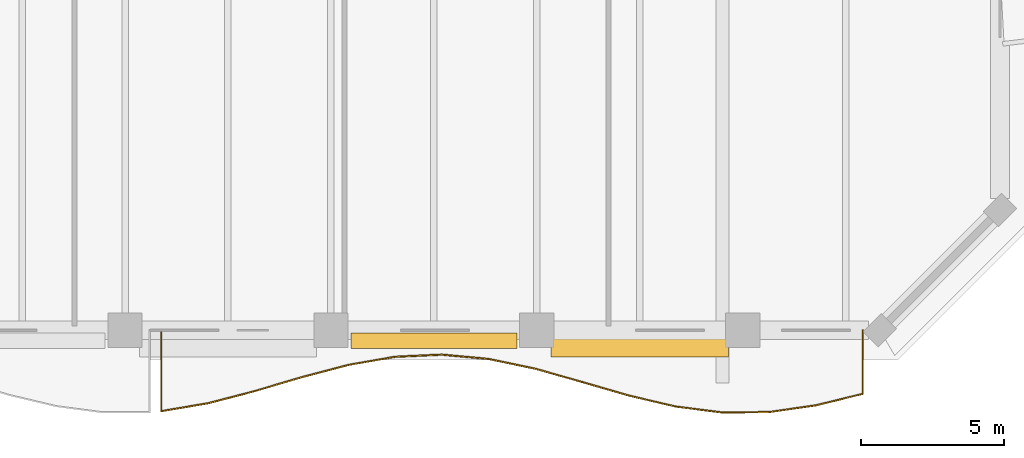
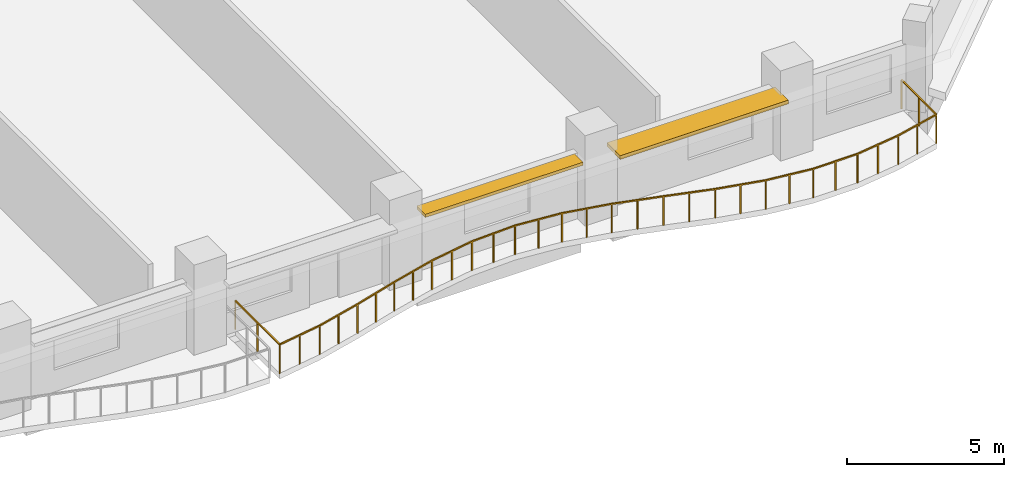
# One storey, part 13 of 14: 2 shading devices, 1 railing.
"""IFC4 building model written with IfcOpenShell, lengths in metres."""

from ifc_helpers import new_model, si_unit, direction, frame, origin, origin_2d, place, context, subcontext, project, spatial, rectangle, extrude, material, layer, layer_set, type_object, element, save


model = new_model("IFC4")

# Units and contexts
model_context = context("Model", 3, precision=1e-05, world=origin(), true_north=direction((0.0, 1.0)))
body_context = subcontext(model_context, "Body", "Model", "MODEL_VIEW")
ifc_project = project(units=[si_unit("LENGTHUNIT", "METRE"), si_unit("AREAUNIT", "SQUARE_METRE"), si_unit("VOLUMEUNIT", "CUBIC_METRE"), si_unit("PLANEANGLEUNIT", "RADIAN"), si_unit("MASSUNIT", "GRAM", prefix="KILO")], contexts=[model_context])

# Site, building, storey
site_placement = place(None, origin())
site = spatial("IfcSite", under=ifc_project, at=site_placement, CompositionType="ELEMENT")
building_placement = place(site_placement, origin())
building = spatial("IfcBuilding", under=site, at=building_placement, Name="Kaelvorn Grand Hotel", CompositionType="ELEMENT")
storey_placement = place(building_placement, frame((0.0, 0.0, 89.300048828125)))
storey = spatial("IfcBuildingStorey", under=building, at=storey_placement, Name="L20", CompositionType="ELEMENT", Elevation=89.300048828125)

# Railing
ifc_material_1 = material(Name="Stainless Steel", Category="steel")
railing_type = type_object("IfcRailingType", Name="RL-BALC-1150", PredefinedType="BALUSTRADE", material=ifc_material_1)
railing_placement = place(storey_placement, frame((54.666748046875, 0.0, 0.0)))
element("IfcRailing", 1, at=railing_placement, inside=storey, type_object=railing_type, Name="L20 Scalloped Wave Balcony Balustrade GR1-3", PredefinedType="BALUSTRADE", context=body_context, shape_type="SweptSolid", body=[
    extrude(rectangle(XDim=0.048095703125, YDim=0.048095703125, at=origin_2d()), frame((0.0, 0.0, 1.1259765625), z_axis=(0.0, -1.0, 0.0), x_axis=(1.0, 0.0, 0.0)), (0.0, 0.0, 1.0), 2.831298828125),
    extrude(rectangle(XDim=0.048095703125, YDim=0.048095703125, at=origin_2d()), frame((0.0, -2.831298828125, 1.1259765625), z_axis=(0.986118033534, 0.166045848907, 0.0), x_axis=(-0.166045848907, 0.986118033534, 0.0)), (0.0, 0.0, 1.0), 1.658447265625),
    extrude(rectangle(XDim=0.048095703125, YDim=0.048095703125, at=origin_2d()), frame((1.635498046875, -2.555908203125, 1.1259765625), z_axis=(0.96763721046, 0.252345455542, 0.0), x_axis=(-0.252345455542, 0.96763721046, 0.0)), (0.0, 0.0, 1.0), 1.690185546875),
    extrude(rectangle(XDim=0.048095703125, YDim=0.048095703125, at=origin_2d()), frame((3.27099609375, -2.12939453125, 1.1259765625), z_axis=(0.959027432838, 0.2833132243, 0.0), x_axis=(-0.2833132243, 0.959027432838, 0.0)), (0.0, 0.0, 1.0), 1.705322265625),
    extrude(rectangle(XDim=0.048095703125, YDim=0.048095703125, at=origin_2d()), frame((4.906494140625, -1.646240234375, 1.1259765625), z_axis=(0.966831098892, 0.255416573886, 0.0), x_axis=(-0.255416573886, 0.966831098892, 0.0)), (0.0, 0.0, 1.0), 1.69189453125),
    extrude(rectangle(XDim=0.048095703125, YDim=0.048095703125, at=origin_2d()), frame((6.542236328125, -1.214111328125, 1.1259765625), z_axis=(0.985113377214, 0.171905887142, 0.0), x_axis=(-0.171905887142, 0.985113377214, 0.0)), (0.0, 0.0, 1.0), 1.66015625),
    extrude(rectangle(XDim=0.048095703125, YDim=0.048095703125, at=origin_2d()), frame((8.177734375, -0.9287109375, 1.1259765625), z_axis=(0.998944729953, 0.045928493331, 0.0), x_axis=(-0.045928493331, 0.998944729953, 0.0)), (0.0, 0.0, 1.0), 1.63720703125),
    extrude(rectangle(XDim=0.048095703125, YDim=0.048095703125, at=origin_2d()), frame((9.813232421875, -0.853515625, 1.1259765625), z_axis=(0.995730813029, -0.092304647692, 0.0), x_axis=(0.092304647692, 0.995730813029, 0.0)), (0.0, 0.0, 1.0), 1.642578125),
    extrude(rectangle(XDim=0.048095703125, YDim=0.048095703125, at=origin_2d()), frame((11.44873046875, -1.005126953125, 1.1259765625), z_axis=(0.978506375694, -0.206216567534, 0.0), x_axis=(0.206216567534, 0.978506375694, 0.0)), (0.0, 0.0, 1.0), 1.671630859375),
    extrude(rectangle(XDim=0.048095703125, YDim=0.048095703125, at=origin_2d()), frame((13.08447265625, -1.349853515625, 1.1259765625), z_axis=(0.962391909426, -0.27166489039, 0.0), x_axis=(0.27166489039, 0.962391909426, 0.0)), (0.0, 0.0, 1.0), 1.699462890625),
    extrude(rectangle(XDim=0.048095703125, YDim=0.048095703125, at=origin_2d()), frame((14.719970703125, -1.8115234375, 1.1259765625), z_axis=(0.960226046789, -0.279223815367, 0.0), x_axis=(0.279223815367, 0.960226046789, 0.0)), (0.0, 0.0, 1.0), 1.703125),
    extrude(rectangle(XDim=0.048095703125, YDim=0.048095703125, at=origin_2d()), frame((16.35546875, -2.287109375, 1.1259765625), z_axis=(0.973521889871, -0.228593809937, 0.0), x_axis=(0.228593809937, 0.973521889871, 0.0)), (0.0, 0.0, 1.0), 1.679931640625),
    extrude(rectangle(XDim=0.048095703125, YDim=0.048095703125, at=origin_2d()), frame((17.990966796875, -2.671142578125, 1.1259765625), z_axis=(0.992064544216, -0.125729630996, 0.0), x_axis=(0.125729630996, 0.992064544216, 0.0)), (0.0, 0.0, 1.0), 1.648681640625),
    extrude(rectangle(XDim=0.048095703125, YDim=0.048095703125, at=origin_2d()), frame((19.62646484375, -2.87841796875, 1.1259765625), z_axis=(0.999954380489, 0.009551803038, 0.0), x_axis=(-0.009551803038, 0.999954380489, 0.0)), (0.0, 0.0, 1.0), 1.6357421875),
    extrude(rectangle(XDim=0.048095703125, YDim=0.048095703125, at=origin_2d()), frame((21.26220703125, -2.86279296875, 1.1259765625), z_axis=(0.989824996425, 0.142290113682, 0.0), x_axis=(-0.142290113682, 0.989824996425, 0.0)), (0.0, 0.0, 1.0), 1.65234375),
    extrude(rectangle(XDim=0.048095703125, YDim=0.048095703125, at=origin_2d()), frame((22.897705078125, -2.627685546875, 1.1259765625), z_axis=(0.971081610913, 0.238747785218, 0.0), x_axis=(-0.238747785218, 0.971081610913, 0.0)), (0.0, 0.0, 1.0), 1.68408203125),
    extrude(rectangle(XDim=0.048095703125, YDim=0.048095703125, at=origin_2d()), frame((24.533203125, -2.2255859375, 1.1259765625), z_axis=(0.0, 1.0, 0.0), x_axis=(-1.0, 0.0, 0.0)), (0.0, 0.0, 1.0), 2.2255859375),
    extrude(rectangle(XDim=0.0419921875, YDim=0.0419921875, at=origin_2d()), origin(), (0.0, 0.0, 1.0), 1.101806640625),
    extrude(rectangle(XDim=0.0419921875, YDim=0.0419921875, at=origin_2d()), frame((0.0, -1.41552734375, 0.0)), (0.0, 0.0, 1.0), 1.101806640625),
    extrude(rectangle(XDim=0.0419921875, YDim=0.0419921875, at=origin_2d()), frame((0.0, -2.831298828125, 0.0)), (0.0, 0.0, 1.0), 1.101806640625),
    extrude(rectangle(XDim=0.0419921875, YDim=0.0419921875, at=origin_2d()), frame((0.81787109375, -2.693603515625, 0.0)), (0.0, 0.0, 1.0), 1.101806640625),
    extrude(rectangle(XDim=0.0419921875, YDim=0.0419921875, at=origin_2d()), frame((1.635498046875, -2.555908203125, 0.0)), (0.0, 0.0, 1.0), 1.101806640625),
    extrude(rectangle(XDim=0.0419921875, YDim=0.0419921875, at=origin_2d()), frame((2.453125, -2.3427734375, 0.0)), (0.0, 0.0, 1.0), 1.101806640625),
    extrude(rectangle(XDim=0.0419921875, YDim=0.0419921875, at=origin_2d()), frame((3.27099609375, -2.12939453125, 0.0)), (0.0, 0.0, 1.0), 1.101806640625),
    extrude(rectangle(XDim=0.0419921875, YDim=0.0419921875, at=origin_2d()), frame((4.0888671875, -1.8876953125, 0.0)), (0.0, 0.0, 1.0), 1.101806640625),
    extrude(rectangle(XDim=0.0419921875, YDim=0.0419921875, at=origin_2d()), frame((4.906494140625, -1.646240234375, 0.0)), (0.0, 0.0, 1.0), 1.101806640625),
    extrude(rectangle(XDim=0.0419921875, YDim=0.0419921875, at=origin_2d()), frame((5.724365234375, -1.43017578125, 0.0)), (0.0, 0.0, 1.0), 1.101806640625),
    extrude(rectangle(XDim=0.0419921875, YDim=0.0419921875, at=origin_2d()), frame((6.542236328125, -1.214111328125, 0.0)), (0.0, 0.0, 1.0), 1.101806640625),
    extrude(rectangle(XDim=0.0419921875, YDim=0.0419921875, at=origin_2d()), frame((7.35986328125, -1.0712890625, 0.0)), (0.0, 0.0, 1.0), 1.101806640625),
    extrude(rectangle(XDim=0.0419921875, YDim=0.0419921875, at=origin_2d()), frame((8.177734375, -0.9287109375, 0.0)), (0.0, 0.0, 1.0), 1.101806640625),
    extrude(rectangle(XDim=0.0419921875, YDim=0.0419921875, at=origin_2d()), frame((8.99560546875, -0.89111328125, 0.0)), (0.0, 0.0, 1.0), 1.101806640625),
    extrude(rectangle(XDim=0.0419921875, YDim=0.0419921875, at=origin_2d()), frame((9.813232421875, -0.853515625, 0.0)), (0.0, 0.0, 1.0), 1.101806640625),
    extrude(rectangle(XDim=0.0419921875, YDim=0.0419921875, at=origin_2d()), frame((10.630859375, -0.92919921875, 0.0)), (0.0, 0.0, 1.0), 1.101806640625),
    extrude(rectangle(XDim=0.0419921875, YDim=0.0419921875, at=origin_2d()), frame((11.44873046875, -1.005126953125, 0.0)), (0.0, 0.0, 1.0), 1.101806640625),
    extrude(rectangle(XDim=0.0419921875, YDim=0.0419921875, at=origin_2d()), frame((12.2666015625, -1.177490234375, 0.0)), (0.0, 0.0, 1.0), 1.101806640625),
    extrude(rectangle(XDim=0.0419921875, YDim=0.0419921875, at=origin_2d()), frame((13.08447265625, -1.349853515625, 0.0)), (0.0, 0.0, 1.0), 1.101806640625),
    extrude(rectangle(XDim=0.0419921875, YDim=0.0419921875, at=origin_2d()), frame((13.90234375, -1.58056640625, 0.0)), (0.0, 0.0, 1.0), 1.101806640625),
    extrude(rectangle(XDim=0.0419921875, YDim=0.0419921875, at=origin_2d()), frame((14.719970703125, -1.8115234375, 0.0)), (0.0, 0.0, 1.0), 1.101806640625),
    extrude(rectangle(XDim=0.0419921875, YDim=0.0419921875, at=origin_2d()), frame((15.53759765625, -2.04931640625, 0.0)), (0.0, 0.0, 1.0), 1.101806640625),
    extrude(rectangle(XDim=0.0419921875, YDim=0.0419921875, at=origin_2d()), frame((16.35546875, -2.287109375, 0.0)), (0.0, 0.0, 1.0), 1.101806640625),
    extrude(rectangle(XDim=0.0419921875, YDim=0.0419921875, at=origin_2d()), frame((17.17333984375, -2.47900390625, 0.0)), (0.0, 0.0, 1.0), 1.101806640625),
    extrude(rectangle(XDim=0.0419921875, YDim=0.0419921875, at=origin_2d()), frame((17.990966796875, -2.671142578125, 0.0)), (0.0, 0.0, 1.0), 1.101806640625),
    extrude(rectangle(XDim=0.0419921875, YDim=0.0419921875, at=origin_2d()), frame((18.80859375, -2.77490234375, 0.0)), (0.0, 0.0, 1.0), 1.101806640625),
    extrude(rectangle(XDim=0.0419921875, YDim=0.0419921875, at=origin_2d()), frame((19.62646484375, -2.87841796875, 0.0)), (0.0, 0.0, 1.0), 1.101806640625),
    extrude(rectangle(XDim=0.0419921875, YDim=0.0419921875, at=origin_2d()), frame((20.4443359375, -2.87060546875, 0.0)), (0.0, 0.0, 1.0), 1.101806640625),
    extrude(rectangle(XDim=0.0419921875, YDim=0.0419921875, at=origin_2d()), frame((21.26220703125, -2.86279296875, 0.0)), (0.0, 0.0, 1.0), 1.101806640625),
    extrude(rectangle(XDim=0.0419921875, YDim=0.0419921875, at=origin_2d()), frame((22.080078125, -2.7451171875, 0.0)), (0.0, 0.0, 1.0), 1.101806640625),
    extrude(rectangle(XDim=0.0419921875, YDim=0.0419921875, at=origin_2d()), frame((22.897705078125, -2.627685546875, 0.0)), (0.0, 0.0, 1.0), 1.101806640625),
    extrude(rectangle(XDim=0.0419921875, YDim=0.0419921875, at=origin_2d()), frame((23.71533203125, -2.4267578125, 0.0)), (0.0, 0.0, 1.0), 1.101806640625),
    extrude(rectangle(XDim=0.0419921875, YDim=0.0419921875, at=origin_2d()), frame((24.533203125, -2.2255859375, 0.0)), (0.0, 0.0, 1.0), 1.101806640625),
    extrude(rectangle(XDim=0.0419921875, YDim=0.0419921875, at=origin_2d()), frame((24.533203125, -1.11279296875, 0.0)), (0.0, 0.0, 1.0), 1.101806640625),
    extrude(rectangle(XDim=0.0419921875, YDim=0.0419921875, at=origin_2d()), frame((24.533203125, 0.0, 0.0)), (0.0, 0.0, 1.0), 1.101806640625),
])

# Shading devices
ifc_material_2 = material(Name="Precast concrete C45/55", Category="concrete")
ifc_layer_1 = layer(ifc_material_2, 0.1201171875)
ifc_layer_set_1 = layer_set([ifc_layer_1], Name="Precast concrete C45/55")
shading_device_type_1 = type_object("IfcShadingDeviceType", Name="SHD-SUNSHADE-550", PredefinedType="USERDEFINED", material=ifc_layer_set_1)
shading_device_1_placement = place(storey_placement, frame((64.199951171875, -0.364990234375, 2.419921875), z_axis=(0.0, 0.0, 1.0), x_axis=(1.0, 0.0, 0.0)))
element("IfcShadingDevice", 2, at=shading_device_1_placement, inside=storey, type_object=shading_device_type_1, Name="L20 Horizontal Concrete Sunshade Band SS-09", ObjectType="SUNSHADE", PredefinedType="USERDEFINED", context=body_context, shape_type="SweptSolid", body=[
    extrude(rectangle(XDim=5.800048828125, YDim=0.550048828125, at=origin_2d()), origin(), (0.0, 0.0, 1.0), 0.1201171875),
])
ifc_layer_2 = layer(ifc_material_2, 0.139892578125)
ifc_layer_set_2 = layer_set([ifc_layer_2], Name="Precast concrete C45/55")
shading_device_type_2 = type_object("IfcShadingDeviceType", Name="SHD-SUNSHADE-850", PredefinedType="USERDEFINED", material=ifc_layer_set_2)
shading_device_2_placement = place(storey_placement, frame((71.39990234375, -0.514892578125, 2.41015625), z_axis=(0.0, 0.0, 1.0), x_axis=(1.0, 0.0, 0.0)))
element("IfcShadingDevice", 3, at=shading_device_2_placement, inside=storey, type_object=shading_device_type_2, Name="L20 Horizontal Concrete Sunshade Band SS-10", ObjectType="SUNSHADE", PredefinedType="USERDEFINED", context=body_context, shape_type="SweptSolid", body=[
    extrude(rectangle(XDim=6.199951171875, YDim=0.85009765625, at=origin_2d()), origin(), (0.0, 0.0, 1.0), 0.139892578125),
])

save(model, "model.ifc")
